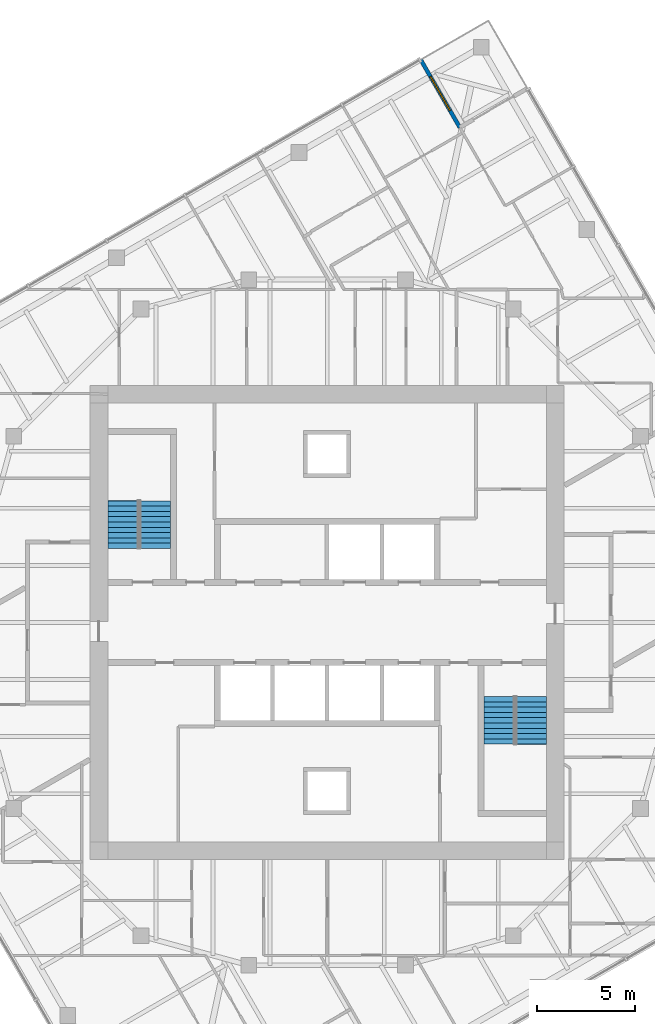
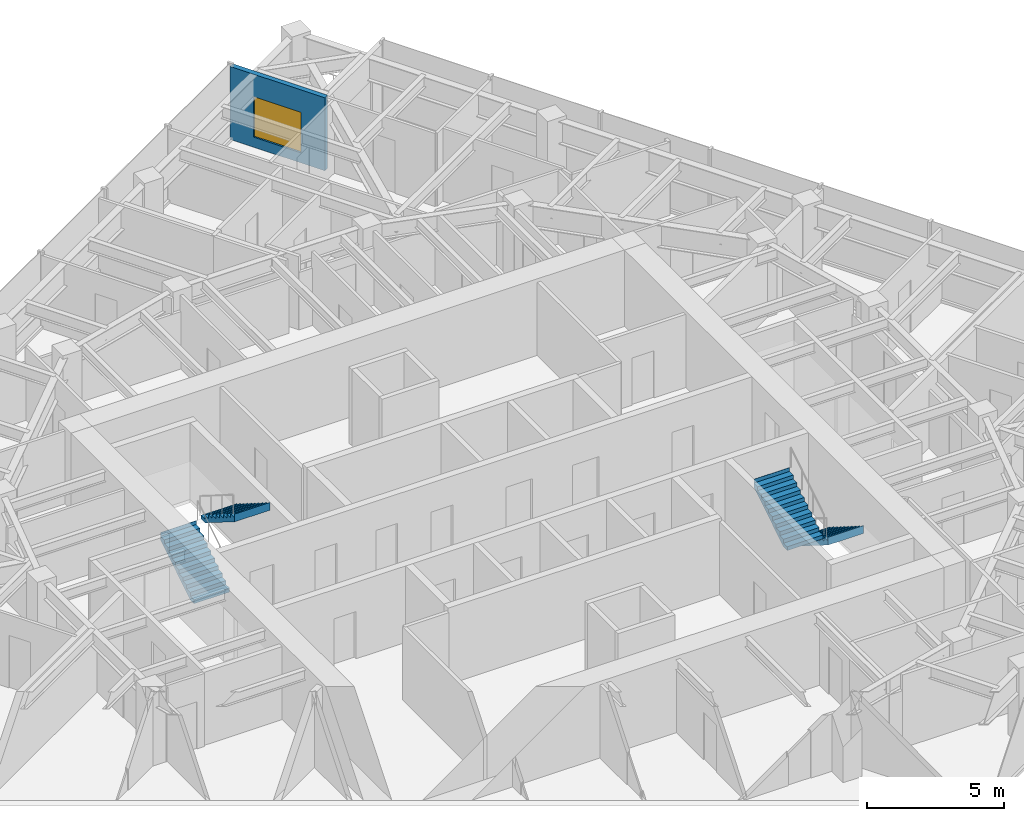
# One storey, part 12 of 13: 4 stair flights, 1 wall, 1 window, 1 opening, 2 elements without a shape of their own.
"""IFC4 building model written with IfcOpenShell, lengths in metres."""

from ifc_helpers import new_model, si_unit, direction, frame, frame_2d, origin, place, context, subcontext, project, spatial, polyline, rectangle, outline, extrude, material, layer, layer_set, type_object, element, fill, aggregate, save


model = new_model("IFC4")

# Units and contexts
model_context = context("Model", 3, precision=1e-05, world=origin(), true_north=direction((0.0, 1.0)))
body_context = subcontext(model_context, "Body", "Model", "MODEL_VIEW")
ifc_project = project(units=[si_unit("LENGTHUNIT", "METRE"), si_unit("AREAUNIT", "SQUARE_METRE"), si_unit("VOLUMEUNIT", "CUBIC_METRE"), si_unit("PLANEANGLEUNIT", "RADIAN"), si_unit("MASSUNIT", "GRAM", prefix="KILO")], contexts=[model_context])

# Site, building, storey
site_placement = place(None, origin())
site = spatial("IfcSite", under=ifc_project, at=site_placement, CompositionType="ELEMENT")
building_placement = place(site_placement, origin())
building = spatial("IfcBuilding", under=site, at=building_placement, Name="Torsade Residences", CompositionType="ELEMENT")
storey_placement = place(building_placement, frame((0.0, 0.0, 208.199951171875)))
storey = spatial("IfcBuildingStorey", under=building, at=storey_placement, Name="L57", CompositionType="ELEMENT", Elevation=208.199951171875)

# Wall, opening, window
ifc_material_1 = material(Name="Stone-faced precast concrete 40 MPa panel", Category="masonry")
ifc_layer = layer(ifc_material_1, 0.199951171875)
ifc_layer_set = layer_set([ifc_layer], Name="Stone-faced precast concrete 40 MPa panel")
wall_type = type_object("IfcWallType", Name="TERRACE WALL 200", PredefinedType="SOLIDWALL", material=ifc_layer_set)
wall_placement = place(storey_placement, frame((46.771484375, 55.271484375, 0.0), z_axis=(0.0, 0.0, 1.0), x_axis=(-0.49999894854, 0.866026010844, 0.0)))
wall = element("IfcWall", 1, at=wall_placement, inside=storey, type_object=wall_type, Name="Terrace wall L57 6", PredefinedType="SOLIDWALL", context=body_context, shape_type="SweptSolid", body=[
    extrude(rectangle(XDim=4.0, YDim=0.199951171875, at=frame_2d((2.0, 0.0))), origin(), (0.0, 0.0, 1.0), 3.25),
])
opening_placement = place(wall_placement, frame((1.0, 0.0, 0.449951171875)))
opening = element("IfcOpeningElement", 2, at=opening_placement, cuts=wall, Name="Opening W1B", PredefinedType="OPENING", context=body_context, shape_type="SweptSolid", body=[
    extrude(rectangle(XDim=2.0, YDim=1.800048828125, at=frame_2d((1.0, 0.89990234375))), frame((0.0, 0.10986328125, 0.0), z_axis=(0.0, -1.0, 0.0), x_axis=(1.0, 0.0, 0.0)), (0.0, 0.0, 1.0), 0.219970703125),
])
ifc_material_2 = material(Name="Aluminium-framed glass window", Category="aluminium")
window_type = type_object("IfcWindowType", Name="TERRACE WINDOW 2000x1800", PartitioningType="SINGLE_PANEL", PredefinedType="WINDOW", material=ifc_material_2)
window_placement = place(opening_placement, origin())
window = element("IfcWindow", 3, at=window_placement, inside=storey, type_object=window_type, Name="Terrace window L57 6", OverallHeight=1.800048828125, OverallWidth=2.0, PartitioningType="SINGLE_PANEL", PredefinedType="WINDOW", context=body_context, shape_type="SweptSolid", body=[
    extrude(rectangle(XDim=2.0, YDim=1.800048828125, at=frame_2d((1.0, 0.89990234375))), frame((0.0, 0.030029296875, 0.0), z_axis=(0.0, -1.0, 0.0), x_axis=(1.0, 0.0, 0.0)), (0.0, 0.0, 1.0), 0.06005859375),
])
fill(opening, window)

# Stair, stair flights
ifc_material_3 = material(Name="Precast concrete 40 MPa", Category="concrete")
stair_type = type_object("IfcStairType", Name="HALF-TURN FIRE STAIR 1500x3400", PredefinedType="HALF_TURN_STAIR", material=ifc_material_3)
stair_1_placement = place(storey_placement, origin())
stair_1 = element("IfcStair", 4, at=stair_1_placement, inside=storey, type_object=stair_type, Name="Stair ST1 L57", PredefinedType="HALF_TURN_STAIR")
ifc_material_4 = material(Name="Precast concrete 40 MPa", Category="concrete")
stair_flight_type = type_object("IfcStairFlightType", Name="PRECAST STAIR FLIGHT 1500x1700", PredefinedType="STRAIGHT", material=ifc_material_4)
stair_flight_1_placement = place(storey_placement, frame((29.550048828125, 33.780029296875, 0.0), z_axis=(0.0, 0.0, 1.0), x_axis=(0.0, 1.0, 0.0)))
stair_flight_1 = element("IfcStairFlight", 5, at=stair_flight_1_placement, type_object=stair_flight_type, Name="ST1 flight 1", NumberOfRisers=10, NumberOfTreads=9, PredefinedType="STRAIGHT", RiserHeight=0.17, TreadLength=0.27, context=body_context, shape_type="SweptSolid", body=[
    extrude(outline(polyline([(0.0, 0.0), (0.0, 0.169921875), (0.27001953125, 0.169921875), (0.27001953125, 0.340087890625), (0.5400390625, 0.340087890625), (0.5400390625, 0.510009765625), (0.81005859375, 0.510009765625), (0.81005859375, 0.679931640625), (1.080078125, 0.679931640625), (1.080078125, 0.85009765625), (1.35009765625, 0.85009765625), (1.35009765625, 1.02001953125), (1.6201171875, 1.02001953125), (1.6201171875, 1.18994140625), (1.889892578125, 1.18994140625), (1.889892578125, 1.360107421875), (2.159912109375, 1.360107421875), (2.159912109375, 1.530029296875), (2.429931640625, 1.530029296875), (2.429931640625, 1.699951171875), (2.43994140625, 1.699951171875), (2.43994140625, 1.352783203125), (2.429931640625, 1.352783203125), (0.28125, 0.0), (0.0, 0.0)])), frame((0.0, 0.75, 0.0), z_axis=(0.0, -1.0, 0.0), x_axis=(1.0, 0.0, 0.0)), (0.0, 0.0, 1.0), 1.5),
])
stair_flight_2_placement = place(storey_placement, frame((31.25, 36.2099609375, 1.699951171875), z_axis=(0.0, 0.0, 1.0), x_axis=(0.0, -1.0, 0.0)))
stair_flight_2 = element("IfcStairFlight", 6, at=stair_flight_2_placement, type_object=stair_flight_type, Name="ST1 flight 2", NumberOfRisers=10, NumberOfTreads=9, PredefinedType="STRAIGHT", RiserHeight=0.17, TreadLength=0.27, context=body_context, shape_type="SweptSolid", body=[
    extrude(outline(polyline([(0.0, 0.0), (0.0, 0.169921875), (0.27001953125, 0.169921875), (0.27001953125, 0.340087890625), (0.5400390625, 0.340087890625), (0.5400390625, 0.510009765625), (0.81005859375, 0.510009765625), (0.81005859375, 0.679931640625), (1.080078125, 0.679931640625), (1.080078125, 0.85009765625), (1.35009765625, 0.85009765625), (1.35009765625, 1.02001953125), (1.6201171875, 1.02001953125), (1.6201171875, 1.18994140625), (1.889892578125, 1.18994140625), (1.889892578125, 1.360107421875), (2.159912109375, 1.360107421875), (2.159912109375, 1.530029296875), (2.429931640625, 1.530029296875), (2.429931640625, 1.699951171875), (2.43994140625, 1.699951171875), (2.43994140625, 1.352783203125), (2.429931640625, 1.352783203125), (0.28125, 0.0), (0.0, 0.0)])), frame((0.0, 0.75, 0.0), z_axis=(0.0, -1.0, 0.0), x_axis=(1.0, 0.0, 0.0)), (0.0, 0.0, 1.0), 1.5),
])
aggregate(stair_1, [stair_flight_1, stair_flight_2])

stair_2_placement = place(storey_placement, origin())
stair_2 = element("IfcStair", 7, at=stair_2_placement, inside=storey, type_object=stair_type, Name="Stair ST2 L57", PredefinedType="HALF_TURN_STAIR")
stair_flight_3_placement = place(storey_placement, frame((50.449951171875, 26.219970703125, 0.0), z_axis=(0.0, 0.0, 1.0), x_axis=(0.0, -1.0, 0.0)))
stair_flight_3 = element("IfcStairFlight", 8, at=stair_flight_3_placement, type_object=stair_flight_type, Name="ST2 flight 1", NumberOfRisers=10, NumberOfTreads=9, PredefinedType="STRAIGHT", RiserHeight=0.17, TreadLength=0.27, context=body_context, shape_type="SweptSolid", body=[
    extrude(outline(polyline([(0.0, 0.0), (0.0, 0.169921875), (0.27001953125, 0.169921875), (0.27001953125, 0.340087890625), (0.5400390625, 0.340087890625), (0.5400390625, 0.510009765625), (0.81005859375, 0.510009765625), (0.81005859375, 0.679931640625), (1.080078125, 0.679931640625), (1.080078125, 0.85009765625), (1.35009765625, 0.85009765625), (1.35009765625, 1.02001953125), (1.6201171875, 1.02001953125), (1.6201171875, 1.18994140625), (1.889892578125, 1.18994140625), (1.889892578125, 1.360107421875), (2.159912109375, 1.360107421875), (2.159912109375, 1.530029296875), (2.429931640625, 1.530029296875), (2.429931640625, 1.699951171875), (2.43994140625, 1.699951171875), (2.43994140625, 1.352783203125), (2.429931640625, 1.352783203125), (0.28125, 0.0), (0.0, 0.0)])), frame((0.0, 0.75, 0.0), z_axis=(0.0, -1.0, 0.0), x_axis=(1.0, 0.0, 0.0)), (0.0, 0.0, 1.0), 1.5),
])
stair_flight_4_placement = place(storey_placement, frame((48.75, 23.7900390625, 1.699951171875), z_axis=(0.0, 0.0, 1.0), x_axis=(0.0, 1.0, 0.0)))
stair_flight_4 = element("IfcStairFlight", 9, at=stair_flight_4_placement, type_object=stair_flight_type, Name="ST2 flight 2", NumberOfRisers=10, NumberOfTreads=9, PredefinedType="STRAIGHT", RiserHeight=0.17, TreadLength=0.27, context=body_context, shape_type="SweptSolid", body=[
    extrude(outline(polyline([(0.0, 0.0), (0.0, 0.169921875), (0.27001953125, 0.169921875), (0.27001953125, 0.340087890625), (0.5400390625, 0.340087890625), (0.5400390625, 0.510009765625), (0.81005859375, 0.510009765625), (0.81005859375, 0.679931640625), (1.080078125, 0.679931640625), (1.080078125, 0.85009765625), (1.35009765625, 0.85009765625), (1.35009765625, 1.02001953125), (1.6201171875, 1.02001953125), (1.6201171875, 1.18994140625), (1.889892578125, 1.18994140625), (1.889892578125, 1.360107421875), (2.159912109375, 1.360107421875), (2.159912109375, 1.530029296875), (2.429931640625, 1.530029296875), (2.429931640625, 1.699951171875), (2.43994140625, 1.699951171875), (2.43994140625, 1.352783203125), (2.429931640625, 1.352783203125), (0.28125, 0.0), (0.0, 0.0)])), frame((0.0, 0.75, 0.0), z_axis=(0.0, -1.0, 0.0), x_axis=(1.0, 0.0, 0.0)), (0.0, 0.0, 1.0), 1.5),
])
aggregate(stair_2, [stair_flight_3, stair_flight_4])

save(model, "model.ifc")
